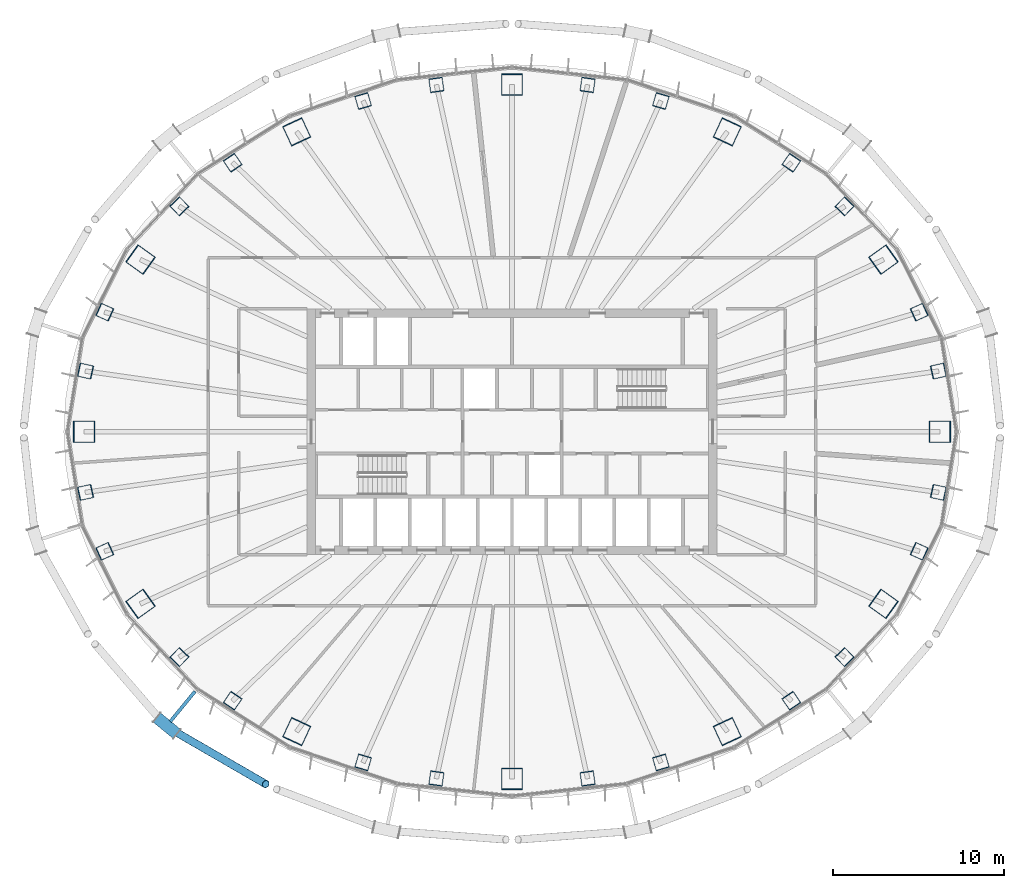
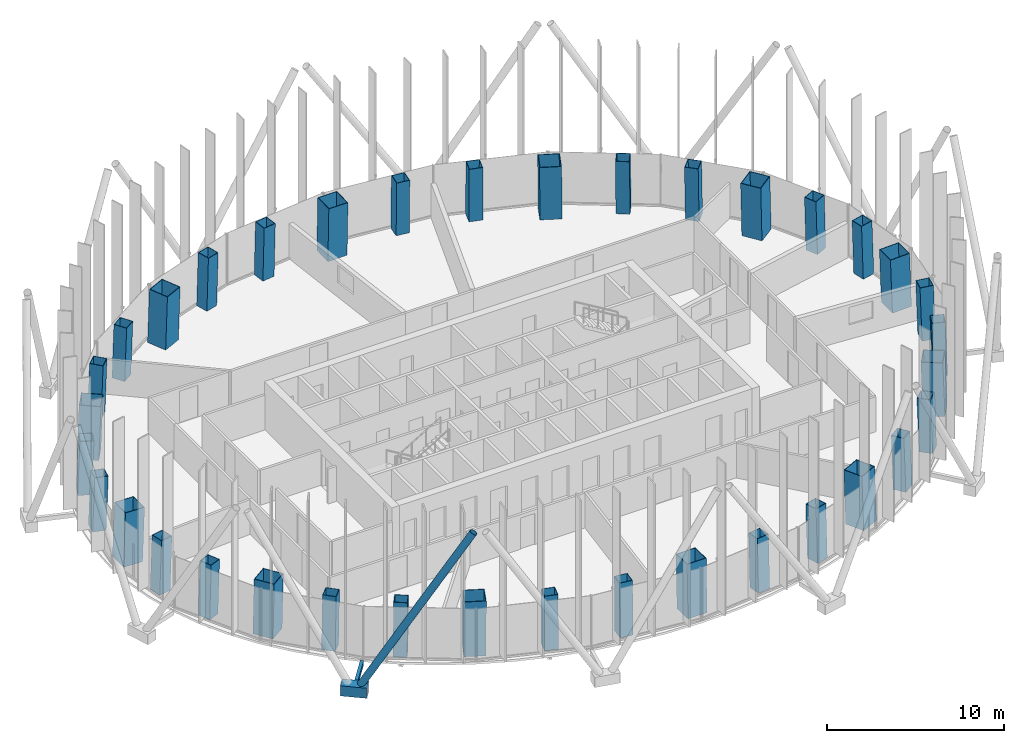
# One storey, part 1 of 19: 36 columns, 3 members.
"""IFC4 building model written with IfcOpenShell, lengths in metres."""

from ifc_helpers import new_model, si_unit, direction, frame, origin, origin_2d, place, context, subcontext, project, spatial, hollow_rectangle, hollow_circle, extrude, material, material_profile, profile_set, type_object, element, save


model = new_model("IFC4")

# Units and contexts
model_context = context("Model", 3, precision=1e-05, world=origin(), true_north=direction((0.0, 1.0)))
body_context = subcontext(model_context, "Body", "Model", "MODEL_VIEW")
ifc_project = project(units=[si_unit("LENGTHUNIT", "METRE"), si_unit("AREAUNIT", "SQUARE_METRE"), si_unit("VOLUMEUNIT", "CUBIC_METRE"), si_unit("PLANEANGLEUNIT", "RADIAN"), si_unit("MASSUNIT", "GRAM", prefix="KILO")], contexts=[model_context])

# Site, building, storey
site_placement = place(None, origin())
site = spatial("IfcSite", under=ifc_project, at=site_placement, CompositionType="ELEMENT")
building_placement = place(site_placement, origin())
building = spatial("IfcBuilding", under=site, at=building_placement, Name="Siaravel Broadcast Tower", CompositionType="ELEMENT")
storey_placement = place(building_placement, frame((0.0, 0.0, 97.10009765625)))
storey = spatial("IfcBuildingStorey", under=building, at=storey_placement, Name="L22", CompositionType="ELEMENT", Elevation=97.10009765625)

# Columns
ifc_material_1 = material(Name="Concrete C60/75", Category="concrete")
ifc_material_profile_1 = material_profile(ifc_material_1, hollow_rectangle(XDim=1.25, YDim=1.25, WallThickness=0.031982421875, at=origin_2d()))
ifc_profile_set_1 = profile_set([ifc_material_profile_1], Name="Concrete C60/75")
column_type_1 = type_object("IfcColumnType", Name="COL-CFT BOX 1250x1250x32", PredefinedType="COLUMN", material=ifc_profile_set_1)
column_1_placement = place(storey_placement, frame((25.08154296875, 0.0, 0.0), z_axis=(-0.034555398, 0.0, 0.999402784), x_axis=(0.0, -1.0, 0.0)))
element("IfcColumn", 1, at=column_1_placement, inside=storey, type_object=column_type_1, Name="Megacolumn MC01", PredefinedType="COLUMN", context=body_context, shape_type="SweptSolid", body=[
    extrude(hollow_rectangle(XDim=1.25, YDim=1.25, WallThickness=0.031982421875, at=origin_2d()), origin(), (0.0, 0.0, 1.0), 3.7021484375),
])
column_2_placement = place(storey_placement, frame((21.77490234375, 10.089111328125, 0.0), z_axis=(-0.030006556, -0.014178922, 0.999449131), x_axis=(0.582175965, -0.813041088, 0.005944324)))
element("IfcColumn", 2, at=column_2_placement, inside=storey, type_object=column_type_1, Name="Megacolumn MC02", PredefinedType="COLUMN", context=body_context, shape_type="SweptSolid", body=[
    extrude(hollow_rectangle(XDim=1.25, YDim=1.25, WallThickness=0.031982421875, at=origin_2d()), origin(), (0.0, 0.0, 1.0), 3.701904296875),
])
column_3_placement = place(storey_placement, frame((12.62060546875, 17.578125, 0.0), z_axis=(-0.017346173, -0.024535271, 0.999548463), x_axis=(0.907049274, -0.420989759, 0.005407177)))
element("IfcColumn", 3, at=column_3_placement, inside=storey, type_object=column_type_1, Name="Megacolumn MC03", PredefinedType="COLUMN", context=body_context, shape_type="SweptSolid", body=[
    extrude(hollow_rectangle(XDim=1.25, YDim=1.25, WallThickness=0.031982421875, at=origin_2d()), origin(), (0.0, 0.0, 1.0), 3.70166015625),
])
column_4_placement = place(storey_placement, frame((0.0, 20.345703125, 0.0), z_axis=(0.0, -0.02836206, 0.999597716), x_axis=(1.0, 0.0, 0.0)))
element("IfcColumn", 4, at=column_4_placement, inside=storey, type_object=column_type_1, Name="Megacolumn MC04", PredefinedType="COLUMN", context=body_context, shape_type="SweptSolid", body=[
    extrude(hollow_rectangle(XDim=1.25, YDim=1.25, WallThickness=0.031982421875, at=origin_2d()), origin(), (0.0, 0.0, 1.0), 3.701416015625),
])
column_5_placement = place(storey_placement, frame((-12.62060546875, 17.578125, 0.0), z_axis=(0.017346173, -0.024535271, 0.999548463), x_axis=(0.907049274, 0.420989759, -0.005407177)))
element("IfcColumn", 5, at=column_5_placement, inside=storey, type_object=column_type_1, Name="Megacolumn MC05", PredefinedType="COLUMN", context=body_context, shape_type="SweptSolid", body=[
    extrude(hollow_rectangle(XDim=1.25, YDim=1.25, WallThickness=0.031982421875, at=origin_2d()), origin(), (0.0, 0.0, 1.0), 3.70166015625),
])
column_6_placement = place(storey_placement, frame((-21.77490234375, 10.089111328125, 0.0), z_axis=(0.030006556, -0.014178922, 0.999449131), x_axis=(0.582175965, 0.813041088, -0.005944324)))
element("IfcColumn", 6, at=column_6_placement, inside=storey, type_object=column_type_1, Name="Megacolumn MC06", PredefinedType="COLUMN", context=body_context, shape_type="SweptSolid", body=[
    extrude(hollow_rectangle(XDim=1.25, YDim=1.25, WallThickness=0.031982421875, at=origin_2d()), origin(), (0.0, 0.0, 1.0), 3.701904296875),
])
column_7_placement = place(storey_placement, frame((-25.08154296875, 0.0, 0.0), z_axis=(0.034555398, 0.0, 0.999402784), x_axis=(0.0, 1.0, 0.0)))
element("IfcColumn", 7, at=column_7_placement, inside=storey, type_object=column_type_1, Name="Megacolumn MC07", PredefinedType="COLUMN", context=body_context, shape_type="SweptSolid", body=[
    extrude(hollow_rectangle(XDim=1.25, YDim=1.25, WallThickness=0.031982421875, at=origin_2d()), origin(), (0.0, 0.0, 1.0), 3.7021484375),
])
column_8_placement = place(storey_placement, frame((-21.77490234375, -10.089111328125, 0.0), z_axis=(0.030006556, 0.014178922, 0.999449131), x_axis=(-0.582175965, 0.813041088, 0.005944324)))
element("IfcColumn", 8, at=column_8_placement, inside=storey, type_object=column_type_1, Name="Megacolumn MC08", PredefinedType="COLUMN", context=body_context, shape_type="SweptSolid", body=[
    extrude(hollow_rectangle(XDim=1.25, YDim=1.25, WallThickness=0.031982421875, at=origin_2d()), origin(), (0.0, 0.0, 1.0), 3.701904296875),
])
column_9_placement = place(storey_placement, frame((-12.62060546875, -17.578125, 0.0), z_axis=(0.017346173, 0.024535271, 0.999548463), x_axis=(-0.907049274, 0.420989759, 0.005407177)))
element("IfcColumn", 9, at=column_9_placement, inside=storey, type_object=column_type_1, Name="Megacolumn MC09", PredefinedType="COLUMN", context=body_context, shape_type="SweptSolid", body=[
    extrude(hollow_rectangle(XDim=1.25, YDim=1.25, WallThickness=0.031982421875, at=origin_2d()), origin(), (0.0, 0.0, 1.0), 3.70166015625),
])
column_10_placement = place(storey_placement, frame((0.0, -20.345703125, 0.0), z_axis=(0.0, 0.02836206, 0.999597716), x_axis=(-1.0, 0.0, 0.0)))
element("IfcColumn", 10, at=column_10_placement, inside=storey, type_object=column_type_1, Name="Megacolumn MC10", PredefinedType="COLUMN", context=body_context, shape_type="SweptSolid", body=[
    extrude(hollow_rectangle(XDim=1.25, YDim=1.25, WallThickness=0.031982421875, at=origin_2d()), origin(), (0.0, 0.0, 1.0), 3.701416015625),
])
column_11_placement = place(storey_placement, frame((12.62060546875, -17.578125, 0.0), z_axis=(-0.017346173, 0.024535271, 0.999548463), x_axis=(-0.907049274, -0.420989759, -0.005407177)))
element("IfcColumn", 11, at=column_11_placement, inside=storey, type_object=column_type_1, Name="Megacolumn MC11", PredefinedType="COLUMN", context=body_context, shape_type="SweptSolid", body=[
    extrude(hollow_rectangle(XDim=1.25, YDim=1.25, WallThickness=0.031982421875, at=origin_2d()), origin(), (0.0, 0.0, 1.0), 3.70166015625),
])
column_12_placement = place(storey_placement, frame((21.77490234375, -10.089111328125, 0.0), z_axis=(-0.030006556, 0.014178922, 0.999449131), x_axis=(-0.582175965, -0.813041088, -0.005944324)))
element("IfcColumn", 12, at=column_12_placement, inside=storey, type_object=column_type_1, Name="Megacolumn MC12", PredefinedType="COLUMN", context=body_context, shape_type="SweptSolid", body=[
    extrude(hollow_rectangle(XDim=1.25, YDim=1.25, WallThickness=0.031982421875, at=origin_2d()), origin(), (0.0, 0.0, 1.0), 3.701904296875),
])
ifc_material_profile_2 = material_profile(ifc_material_1, hollow_rectangle(XDim=0.800048828125, YDim=0.800048828125, WallThickness=0.02490234375, at=origin_2d()))
ifc_profile_set_2 = profile_set([ifc_material_profile_2], Name="Concrete C60/75")
column_type_2 = type_object("IfcColumnType", Name="COL-CFT BOX 800x800x25", PredefinedType="COLUMN", material=ifc_profile_set_2)
for number, where, z_axis, x_axis, name in (
    (13, (25.001708984375, 3.5556640625, 0.0), (-0.034093903, -0.004945924, 0.999406396), (0.213128449, -0.977021153, 0.002435554), "Perimeter column C01"),
    (14, (23.87158203125, 7.010009765625, 0.0), (-0.032511791, -0.009694185, 0.999424337), (0.409790214, -0.912168781, 0.004482861), "Perimeter column C02"),
):
    element("IfcColumn", number, at=place(storey_placement, frame(where, z_axis=z_axis, x_axis=x_axis)), inside=storey, type_object=column_type_2, Name=name, PredefinedType="COLUMN", context=body_context, shape_type="SweptSolid", body=[
        extrude(hollow_rectangle(XDim=0.800048828125, YDim=0.800048828125, WallThickness=0.02490234375, at=origin_2d()), origin(), (0.0, 0.0, 1.0), 3.7021484375),
    ])
column_13_placement = place(storey_placement, frame((19.497314453125, 13.21240234375, 0.0), z_axis=(-0.026446274, -0.018202423, 0.9994845), x_axis=(0.720536539, -0.693387088, 0.0064375)))
element("IfcColumn", 15, at=column_13_placement, inside=storey, type_object=column_type_2, Name="Perimeter column C03", PredefinedType="COLUMN", context=body_context, shape_type="SweptSolid", body=[
    extrude(hollow_rectangle(XDim=0.800048828125, YDim=0.800048828125, WallThickness=0.02490234375, at=origin_2d()), origin(), (0.0, 0.0, 1.0), 3.701904296875),
])
column_14_placement = place(storey_placement, frame((16.3759765625, 15.76904296875, 0.0), z_axis=(-0.022226156, -0.021698532, 0.999517469), x_axis=(0.827910736, -0.560825227, 0.006235198)))
element("IfcColumn", 16, at=column_14_placement, inside=storey, type_object=column_type_2, Name="Perimeter column C04", PredefinedType="COLUMN", context=body_context, shape_type="SweptSolid", body=[
    extrude(hollow_rectangle(XDim=0.800048828125, YDim=0.800048828125, WallThickness=0.02490234375, at=origin_2d()), origin(), (0.0, 0.0, 1.0), 3.70166015625),
])
for number, where, z_axis, x_axis, name in (
    (17, (8.72607421875, 19.3857421875, 0.0), (-0.011806266, -0.026646544, 0.999575197), (0.959960245, -0.280109516, 0.00387124), "Perimeter column C05"),
    (18, (4.431884765625, 20.328125, 0.0), (-0.005936218, -0.027900223, 0.999593087), (0.990430183, -0.137999751, 0.002030011), "Perimeter column C06"),
    (19, (-4.431884765625, 20.328125, 0.0), (0.005936218, -0.027900223, 0.999593087), (0.990430183, 0.137999751, -0.002030011), "Perimeter column C07"),
    (20, (-8.72607421875, 19.3857421875, 0.0), (0.011806266, -0.026646544, 0.999575197), (0.959960245, 0.280109516, -0.00387124), "Perimeter column C08"),
):
    element("IfcColumn", number, at=place(storey_placement, frame(where, z_axis=z_axis, x_axis=x_axis)), inside=storey, type_object=column_type_2, Name=name, PredefinedType="COLUMN", context=body_context, shape_type="SweptSolid", body=[
        extrude(hollow_rectangle(XDim=0.800048828125, YDim=0.800048828125, WallThickness=0.02490234375, at=origin_2d()), origin(), (0.0, 0.0, 1.0), 3.701416015625),
    ])
column_15_placement = place(storey_placement, frame((-16.3759765625, 15.76904296875, 0.0), z_axis=(0.022226156, -0.021698532, 0.999517469), x_axis=(0.827910736, 0.560825227, -0.006235198)))
element("IfcColumn", 21, at=column_15_placement, inside=storey, type_object=column_type_2, Name="Perimeter column C09", PredefinedType="COLUMN", context=body_context, shape_type="SweptSolid", body=[
    extrude(hollow_rectangle(XDim=0.800048828125, YDim=0.800048828125, WallThickness=0.02490234375, at=origin_2d()), origin(), (0.0, 0.0, 1.0), 3.70166015625),
])
column_16_placement = place(storey_placement, frame((-19.497314453125, 13.21240234375, 0.0), z_axis=(0.026446274, -0.018202423, 0.9994845), x_axis=(0.720536539, 0.693387088, -0.0064375)))
element("IfcColumn", 22, at=column_16_placement, inside=storey, type_object=column_type_2, Name="Perimeter column C10", PredefinedType="COLUMN", context=body_context, shape_type="SweptSolid", body=[
    extrude(hollow_rectangle(XDim=0.800048828125, YDim=0.800048828125, WallThickness=0.02490234375, at=origin_2d()), origin(), (0.0, 0.0, 1.0), 3.701904296875),
])
for number, where, z_axis, x_axis, name in (
    (23, (-23.87158203125, 7.010009765625, 0.0), (0.032511791, -0.009694185, 0.999424337), (0.409790214, 0.912168781, -0.004482861), "Perimeter column C11"),
    (24, (-25.001708984375, 3.5556640625, 0.0), (0.034093903, -0.004945924, 0.999406396), (0.213128449, 0.977021153, -0.002435554), "Perimeter column C12"),
    (25, (-25.001708984375, -3.5556640625, 0.0), (0.034093903, 0.004945924, 0.999406396), (-0.213128449, 0.977021153, 0.002435554), "Perimeter column C13"),
    (26, (-23.87158203125, -7.010009765625, 0.0), (0.032511791, 0.009694185, 0.999424337), (-0.409790214, 0.912168781, 0.004482861), "Perimeter column C14"),
):
    element("IfcColumn", number, at=place(storey_placement, frame(where, z_axis=z_axis, x_axis=x_axis)), inside=storey, type_object=column_type_2, Name=name, PredefinedType="COLUMN", context=body_context, shape_type="SweptSolid", body=[
        extrude(hollow_rectangle(XDim=0.800048828125, YDim=0.800048828125, WallThickness=0.02490234375, at=origin_2d()), origin(), (0.0, 0.0, 1.0), 3.7021484375),
    ])
column_17_placement = place(storey_placement, frame((-19.497314453125, -13.21240234375, 0.0), z_axis=(0.026446274, 0.018202423, 0.9994845), x_axis=(-0.720536539, 0.693387088, 0.0064375)))
element("IfcColumn", 27, at=column_17_placement, inside=storey, type_object=column_type_2, Name="Perimeter column C15", PredefinedType="COLUMN", context=body_context, shape_type="SweptSolid", body=[
    extrude(hollow_rectangle(XDim=0.800048828125, YDim=0.800048828125, WallThickness=0.02490234375, at=origin_2d()), origin(), (0.0, 0.0, 1.0), 3.701904296875),
])
column_18_placement = place(storey_placement, frame((-16.3759765625, -15.76904296875, 0.0), z_axis=(0.022226156, 0.021698532, 0.999517469), x_axis=(-0.827910736, 0.560825227, 0.006235198)))
element("IfcColumn", 28, at=column_18_placement, inside=storey, type_object=column_type_2, Name="Perimeter column C16", PredefinedType="COLUMN", context=body_context, shape_type="SweptSolid", body=[
    extrude(hollow_rectangle(XDim=0.800048828125, YDim=0.800048828125, WallThickness=0.02490234375, at=origin_2d()), origin(), (0.0, 0.0, 1.0), 3.70166015625),
])
for number, where, z_axis, x_axis, name in (
    (29, (-8.72607421875, -19.3857421875, 0.0), (0.011806266, 0.026646544, 0.999575197), (-0.959960245, 0.280109516, 0.00387124), "Perimeter column C17"),
    (30, (-4.431884765625, -20.328125, 0.0), (0.005936218, 0.027900223, 0.999593087), (-0.990430183, 0.137999751, 0.002030011), "Perimeter column C18"),
    (31, (4.431884765625, -20.328125, 0.0), (-0.005936218, 0.027900223, 0.999593087), (-0.990430183, -0.137999751, -0.002030011), "Perimeter column C19"),
    (32, (8.72607421875, -19.3857421875, 0.0), (-0.011806266, 0.026646544, 0.999575197), (-0.959960245, -0.280109516, -0.00387124), "Perimeter column C20"),
):
    element("IfcColumn", number, at=place(storey_placement, frame(where, z_axis=z_axis, x_axis=x_axis)), inside=storey, type_object=column_type_2, Name=name, PredefinedType="COLUMN", context=body_context, shape_type="SweptSolid", body=[
        extrude(hollow_rectangle(XDim=0.800048828125, YDim=0.800048828125, WallThickness=0.02490234375, at=origin_2d()), origin(), (0.0, 0.0, 1.0), 3.701416015625),
    ])
column_19_placement = place(storey_placement, frame((16.3759765625, -15.76904296875, 0.0), z_axis=(-0.022226156, 0.021698532, 0.999517469), x_axis=(-0.827910736, -0.560825227, -0.006235198)))
element("IfcColumn", 33, at=column_19_placement, inside=storey, type_object=column_type_2, Name="Perimeter column C21", PredefinedType="COLUMN", context=body_context, shape_type="SweptSolid", body=[
    extrude(hollow_rectangle(XDim=0.800048828125, YDim=0.800048828125, WallThickness=0.02490234375, at=origin_2d()), origin(), (0.0, 0.0, 1.0), 3.70166015625),
])
column_20_placement = place(storey_placement, frame((19.497314453125, -13.21240234375, 0.0), z_axis=(-0.026446274, 0.018202423, 0.9994845), x_axis=(-0.720536539, -0.693387088, -0.0064375)))
element("IfcColumn", 34, at=column_20_placement, inside=storey, type_object=column_type_2, Name="Perimeter column C22", PredefinedType="COLUMN", context=body_context, shape_type="SweptSolid", body=[
    extrude(hollow_rectangle(XDim=0.800048828125, YDim=0.800048828125, WallThickness=0.02490234375, at=origin_2d()), origin(), (0.0, 0.0, 1.0), 3.701904296875),
])
for number, where, z_axis, x_axis, name in (
    (35, (23.87158203125, -7.010009765625, 0.0), (-0.032511791, 0.009694185, 0.999424337), (-0.409790214, -0.912168781, -0.004482861), "Perimeter column C23"),
    (36, (25.001708984375, -3.5556640625, 0.0), (-0.034093903, 0.004945924, 0.999406396), (-0.213128449, -0.977021153, -0.002435554), "Perimeter column C24"),
):
    element("IfcColumn", number, at=place(storey_placement, frame(where, z_axis=z_axis, x_axis=x_axis)), inside=storey, type_object=column_type_2, Name=name, PredefinedType="COLUMN", context=body_context, shape_type="SweptSolid", body=[
        extrude(hollow_rectangle(XDim=0.800048828125, YDim=0.800048828125, WallThickness=0.02490234375, at=origin_2d()), origin(), (0.0, 0.0, 1.0), 3.7021484375),
    ])

# Members
ifc_material_2 = material(Name="Steel S460", Category="steel")
ifc_material_profile_3 = material_profile(ifc_material_2, hollow_circle(Radius=0.228515625, WallThickness=0.02001953125, at=origin_2d()))
ifc_profile_set_3 = profile_set([ifc_material_profile_3], Name="Steel S460")
member_type_1 = type_object("IfcMemberType", Name="Diagrid diagonal CHS 457x20", PredefinedType="BRACE", material=ifc_profile_set_3)
member_1_placement = place(storey_placement, frame((-19.94384765625, -17.443359375, 0.119873046875), z_axis=(0.44902417, -0.259742907, 0.854933282), x_axis=(0.500720828, 0.865608833, 0.0)))
element("IfcMember", 37, at=member_1_placement, inside=storey, type_object=member_type_1, Name="Diagrid diagonal R10 station 45A", PredefinedType="BRACE", context=body_context, shape_type="SweptSolid", body=[
    extrude(hollow_circle(Radius=0.228515625, WallThickness=0.02001953125, at=origin_2d()), origin(), (0.0, 0.0, 1.0), 12.29345703125),
])
ifc_material_profile_4 = material_profile(ifc_material_2, hollow_rectangle(XDim=0.699951171875, YDim=0.699951171875, WallThickness=0.0400390625, at=origin_2d()))
ifc_profile_set_4 = profile_set([ifc_material_profile_4], Name="Steel S460")
member_type_2 = type_object("IfcMemberType", Name="Diagrid node BOX 700x700x40", PredefinedType="USERDEFINED", material=ifc_profile_set_4)
member_2_placement = place(storey_placement, frame((-20.798583984375, -16.743408203125, -0.2001953125), z_axis=(0.773625141, -0.633643545, 0.0), x_axis=(0.633643545, 0.773625141, 0.0)))
element("IfcMember", 38, at=member_2_placement, inside=storey, type_object=member_type_2, Name="Diagrid node R10 station 45", ObjectType="DIAGRID NODE", PredefinedType="USERDEFINED", context=body_context, shape_type="SweptSolid", body=[
    extrude(hollow_rectangle(XDim=0.699951171875, YDim=0.699951171875, WallThickness=0.0400390625, at=origin_2d()), origin(), (0.0, 0.0, 1.0), 1.5068359375),
])
ifc_material_profile_5 = material_profile(ifc_material_2, hollow_rectangle(XDim=0.199951171875, YDim=0.300048828125, WallThickness=0.012451171875, at=origin_2d()))
ifc_profile_set_5 = profile_set([ifc_material_profile_5], Name="Steel S460")
member_type_3 = type_object("IfcMemberType", Name="Diagrid node arm RHS 300x200x12.5", PredefinedType="STRUT", material=ifc_profile_set_5)
member_3_placement = place(storey_placement, frame((-18.568115234375, -15.20947265625, -0.2001953125), z_axis=(-0.633715831, -0.773565928, 0.0), x_axis=(0.773565928, -0.633715831, 0.0)))
element("IfcMember", 39, at=member_3_placement, inside=storey, type_object=member_type_3, Name="Node arm R10 station 45", PredefinedType="STRUT", context=body_context, shape_type="SweptSolid", body=[
    extrude(hollow_rectangle(XDim=0.199951171875, YDim=0.300048828125, WallThickness=0.012451171875, at=origin_2d()), origin(), (0.0, 0.0, 1.0), 2.280029296875),
])

save(model, "model.ifc")
